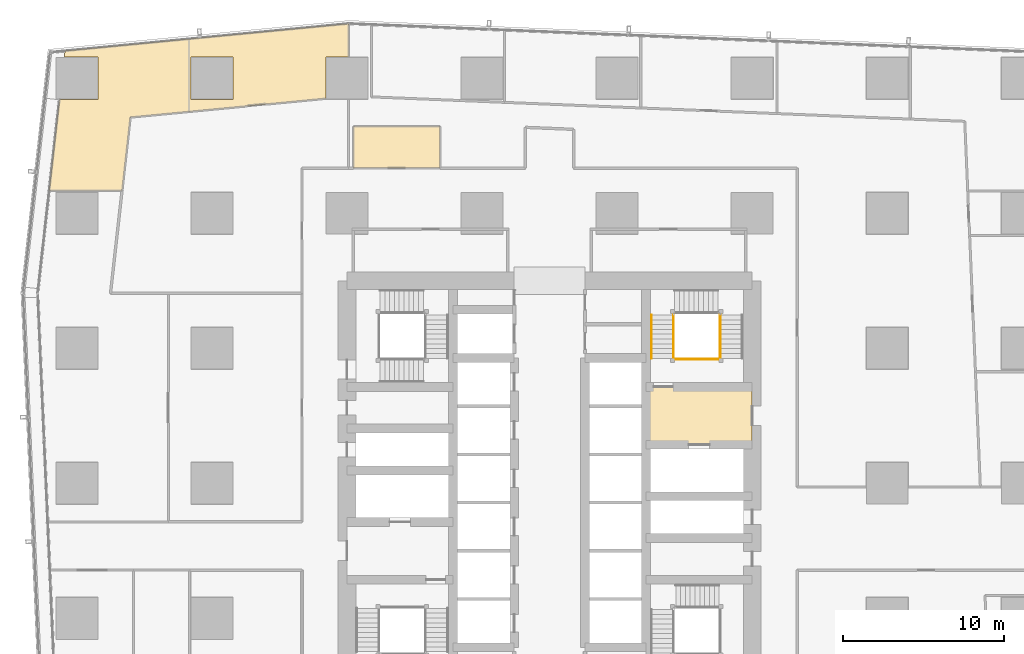
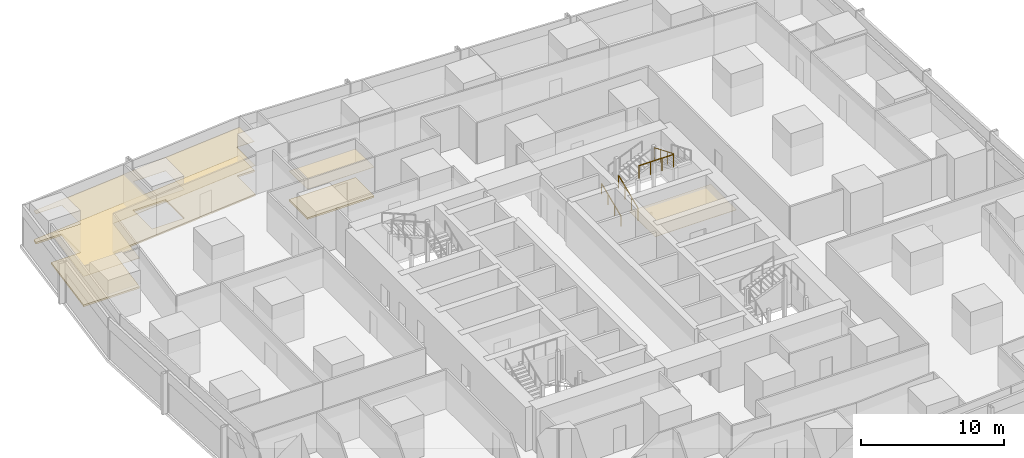
# One storey, part 44 of 46: 5 coverings, 4 railings.
"""IFC4 building model written with IfcOpenShell, lengths in metres."""

from ifc_helpers import new_model, si_unit, direction, frame, origin, origin_2d, place, context, subcontext, project, spatial, polyline, circle, outline, extrude, material, layer, layer_set, type_object, element, save


model = new_model("IFC4")

# Units and contexts
model_context = context("Model", 3, precision=1e-05, world=origin(), true_north=direction((0.0, 1.0)))
body_context = subcontext(model_context, "Body", "Model", "MODEL_VIEW")
ifc_project = project(units=[si_unit("LENGTHUNIT", "METRE"), si_unit("AREAUNIT", "SQUARE_METRE"), si_unit("VOLUMEUNIT", "CUBIC_METRE"), si_unit("PLANEANGLEUNIT", "RADIAN"), si_unit("MASSUNIT", "GRAM", prefix="KILO")], contexts=[model_context])

# Site, building, storey
site_placement = place(None, origin())
site = spatial("IfcSite", under=ifc_project, at=site_placement, CompositionType="ELEMENT")
building_placement = place(site_placement, origin())
building = spatial("IfcBuilding", under=site, at=building_placement, Name="Rekha Terrace Tower", CompositionType="ELEMENT")
storey_placement = place(building_placement, frame((0.0, 0.0, 29.14990234375)))
storey = spatial("IfcBuildingStorey", under=building, at=storey_placement, Name="L06", CompositionType="ELEMENT", Elevation=29.14990234375)

# Coverings
ifc_material_1 = material(Name="Mineral fibre tile in exposed grid", Category="finish")
ifc_layer_1 = layer(ifc_material_1, 0.02001953125)
ifc_layer_set_1 = layer_set([ifc_layer_1], Name="Mineral fibre tile in exposed grid")
covering_type_1 = type_object("IfcCoveringType", Name="CL1 600x1200 office grid ceiling", PredefinedType="CEILING", material=ifc_layer_set_1)
covering_1_placement = place(storey_placement, frame((0.0, 0.0, 2.580078125)))
element("IfcCovering", 1, at=covering_1_placement, inside=storey, type_object=covering_type_1, Name="Ceiling L06-08", PredefinedType="CEILING", context=body_context, shape_type="SweptSolid", body=[
    extrude(outline(polyline([(31.0, 53.199951171875), (31.0, 55.794921875), (25.60009765625, 55.794921875), (25.60009765625, 53.199951171875), (31.0, 53.199951171875)])), origin(), (0.0, 0.0, 1.0), 0.02001953125),
])
covering_2_placement = place(storey_placement, frame((0.0, 0.0, 2.580078125)))
element("IfcCovering", 2, at=covering_2_placement, inside=storey, type_object=covering_type_1, Name="Ceiling L06-09", PredefinedType="CEILING", context=body_context, shape_type="SweptSolid", body=[
    extrude(outline(polyline([(7.31689453125, 57.485107421875), (6.678955078125, 51.81591796875), (11.2080078125, 51.81591796875), (11.719970703125, 56.37109375), (15.375, 56.721923828125), (23.885009765625, 57.541015625), (23.885009765625, 60.114990234375), (25.2900390625, 60.114990234375), (25.2900390625, 62.197021484375), (15.373046875, 61.242919921875), (7.656005859375, 60.5009765625), (7.613037109375, 60.114990234375), (9.715087890625, 60.114990234375), (9.715087890625, 57.485107421875), (7.31689453125, 57.485107421875)]), holes=[polyline([(18.114990234375, 57.485107421875), (15.485107421875, 57.485107421875), (15.485107421875, 60.114990234375), (18.114990234375, 60.114990234375), (18.114990234375, 57.485107421875)])]), origin(), (0.0, 0.0, 1.0), 0.02001953125),
])
ifc_material_2 = material(Name="Powder-coated aluminium pan", Category="aluminium")
ifc_layer_2 = layer(ifc_material_2, 0.030029296875)
ifc_layer_set_2 = layer_set([ifc_layer_2], Name="Powder-coated aluminium pan")
covering_type_2 = type_object("IfcCoveringType", Name="CL3 300x1200 metal pan ceiling", PredefinedType="CEILING", material=ifc_layer_set_2)
covering_3_placement = place(storey_placement, frame((0.0, 0.0, 2.570068359375)))
element("IfcCovering", 3, at=covering_3_placement, inside=storey, type_object=covering_type_2, Name="Ceiling L06-FLB2", PredefinedType="CEILING", context=body_context, shape_type="SweptSolid", body=[
    extrude(outline(polyline([(50.39990234375, 39.60009765625), (43.800048828125, 39.60009765625), (43.800048828125, 36.0), (50.39990234375, 36.0), (50.39990234375, 39.60009765625)])), origin(), (0.0, 0.0, 1.0), 0.030029296875),
])

# Railings
ifc_material_3 = material(Name="Stainless steel balustrade", Category="steel")
railing_type_1 = type_object("IfcRailingType", Name="GR1 1100 stair guard", PredefinedType="GUARDRAIL", material=ifc_material_3)
railing_1_placement = place(storey_placement, frame((45.514892578125, 41.375, 0.125)))
element("IfcRailing", 4, at=railing_1_placement, inside=storey, type_object=railing_type_1, Name="Guard ST2 L06 flight 1", PredefinedType="GUARDRAIL", context=body_context, shape_type="SweptSolid", body=[
    extrude(circle(Radius=0.02392578125, at=origin_2d()), frame((0.0, 0.0, 1.076171875), z_axis=(0.0, 0.923074453586, 0.384621311341), x_axis=(-1.0, 0.0, 0.0)), (0.0, 0.0, 1.0), 2.925048828125),
    extrude(circle(Radius=0.02099609375, at=origin_2d()), origin(), (0.0, 0.0, 1.0), 1.052001953125),
    extrude(circle(Radius=0.02099609375, at=origin_2d()), frame((0.0, 0.89990234375, 0.375)), (0.0, 0.0, 1.0), 1.052001953125),
    extrude(circle(Radius=0.02099609375, at=origin_2d()), frame((0.0, 1.800048828125, 0.75)), (0.0, 0.0, 1.0), 1.052001953125),
    extrude(circle(Radius=0.02099609375, at=origin_2d()), frame((0.0, 2.699951171875, 1.125)), (0.0, 0.0, 1.0), 1.052001953125),
])
railing_2_placement = place(storey_placement, frame((48.409912109375, 44.074951171875, 2.625)))
element("IfcRailing", 5, at=railing_2_placement, inside=storey, type_object=railing_type_1, Name="Guard ST2 L06 flight 3", PredefinedType="GUARDRAIL", context=body_context, shape_type="SweptSolid", body=[
    extrude(circle(Radius=0.02392578125, at=origin_2d()), frame((0.0, 0.0, 1.076171875), z_axis=(0.0, -0.923074453586, 0.384621311341), x_axis=(1.0, 0.0, 0.0)), (0.0, 0.0, 1.0), 2.925048828125),
    extrude(circle(Radius=0.02099609375, at=origin_2d()), origin(), (0.0, 0.0, 1.0), 1.052001953125),
    extrude(circle(Radius=0.02099609375, at=origin_2d()), frame((0.0, -0.89990234375, 0.375)), (0.0, 0.0, 1.0), 1.052001953125),
    extrude(circle(Radius=0.02099609375, at=origin_2d()), frame((0.0, -1.800048828125, 0.75)), (0.0, 0.0, 1.0), 1.052001953125),
    extrude(circle(Radius=0.02099609375, at=origin_2d()), frame((0.0, -2.699951171875, 1.125)), (0.0, 0.0, 1.0), 1.052001953125),
])
railing_3_placement = place(storey_placement, frame((45.574951171875, 41.31494140625, 3.75)))
element("IfcRailing", 6, at=railing_3_placement, inside=storey, type_object=railing_type_1, Name="Guard ST2 L06 landing 4", PredefinedType="GUARDRAIL", context=body_context, shape_type="SweptSolid", body=[
    extrude(circle(Radius=0.02392578125, at=origin_2d()), frame((0.0, 0.0, 1.076171875), z_axis=(1.0, 0.0, 0.0), x_axis=(0.0, 1.0, 0.0)), (0.0, 0.0, 1.0), 2.775146484375),
    extrude(circle(Radius=0.02099609375, at=origin_2d()), origin(), (0.0, 0.0, 1.0), 1.052001953125),
    extrude(circle(Radius=0.02099609375, at=origin_2d()), frame((0.925048828125, 0.0, 0.0)), (0.0, 0.0, 1.0), 1.052001953125),
    extrude(circle(Radius=0.02099609375, at=origin_2d()), frame((1.85009765625, 0.0, 0.0)), (0.0, 0.0, 1.0), 1.052001953125),
    extrude(circle(Radius=0.02099609375, at=origin_2d()), frame((2.775146484375, 0.0, 0.0)), (0.0, 0.0, 1.0), 1.052001953125),
])
ifc_material_4 = material(Name="Stainless steel tube", Category="steel")
railing_type_2 = type_object("IfcRailingType", Name="HR1 900 stair handrail", PredefinedType="HANDRAIL", material=ifc_material_4)
railing_4_placement = place(storey_placement, frame((44.135009765625, 41.375, 0.125)))
element("IfcRailing", 7, at=railing_4_placement, inside=storey, type_object=railing_type_2, Name="Handrail ST2 L06 flight 1", PredefinedType="HANDRAIL", context=body_context, shape_type="SweptSolid", body=[
    extrude(circle(Radius=0.02392578125, at=origin_2d()), frame((0.0, 0.0, 0.8759765625), z_axis=(0.0, 0.923074453586, 0.384621311341), x_axis=(-1.0, 0.0, 0.0)), (0.0, 0.0, 1.0), 2.925048828125),
    extrude(circle(Radius=0.02099609375, at=origin_2d()), origin(), (0.0, 0.0, 1.0), 0.851806640625),
    extrude(circle(Radius=0.02099609375, at=origin_2d()), frame((0.0, 0.89990234375, 0.375)), (0.0, 0.0, 1.0), 0.851806640625),
    extrude(circle(Radius=0.02099609375, at=origin_2d()), frame((0.0, 1.800048828125, 0.75)), (0.0, 0.0, 1.0), 0.851806640625),
    extrude(circle(Radius=0.02099609375, at=origin_2d()), frame((0.0, 2.699951171875, 1.125)), (0.0, 0.0, 1.0), 0.851806640625),
])

# Coverings
ifc_material_5 = material(Name="Calcium sulphate panels on steel pedestals", Category="steel")
ifc_layer_3 = layer(ifc_material_5, 0.14990234375)
ifc_layer_set_3 = layer_set([ifc_layer_3], Name="Calcium sulphate panels on steel pedestals")
covering_type_3 = type_object("IfcCoveringType", Name="RF1 150 raised access floor", PredefinedType="FLOORING", material=ifc_layer_set_3)
covering_4_placement = place(storey_placement, origin())
element("IfcCovering", 8, at=covering_4_placement, inside=storey, type_object=covering_type_3, Name="Raised floor L06-08", PredefinedType="FLOORING", context=body_context, shape_type="SweptSolid", body=[
    extrude(outline(polyline([(31.0, 53.199951171875), (31.0, 55.794921875), (25.60009765625, 55.794921875), (25.60009765625, 53.199951171875), (31.0, 53.199951171875)])), origin(), (0.0, 0.0, 1.0), 0.150146484375),
])
covering_5_placement = place(storey_placement, origin())
element("IfcCovering", 9, at=covering_5_placement, inside=storey, type_object=covering_type_3, Name="Raised floor L06-09", PredefinedType="FLOORING", context=body_context, shape_type="SweptSolid", body=[
    extrude(outline(polyline([(7.31689453125, 57.485107421875), (6.678955078125, 51.81591796875), (11.2080078125, 51.81591796875), (11.719970703125, 56.37109375), (15.375, 56.721923828125), (23.885009765625, 57.541015625), (23.885009765625, 60.114990234375), (25.2900390625, 60.114990234375), (25.2900390625, 62.197021484375), (15.373046875, 61.242919921875), (7.656005859375, 60.5009765625), (7.613037109375, 60.114990234375), (9.715087890625, 60.114990234375), (9.715087890625, 57.485107421875), (7.31689453125, 57.485107421875)]), holes=[polyline([(18.114990234375, 57.485107421875), (15.485107421875, 57.485107421875), (15.485107421875, 60.114990234375), (18.114990234375, 60.114990234375), (18.114990234375, 57.485107421875)])]), origin(), (0.0, 0.0, 1.0), 0.150146484375),
])

save(model, "model.ifc")
